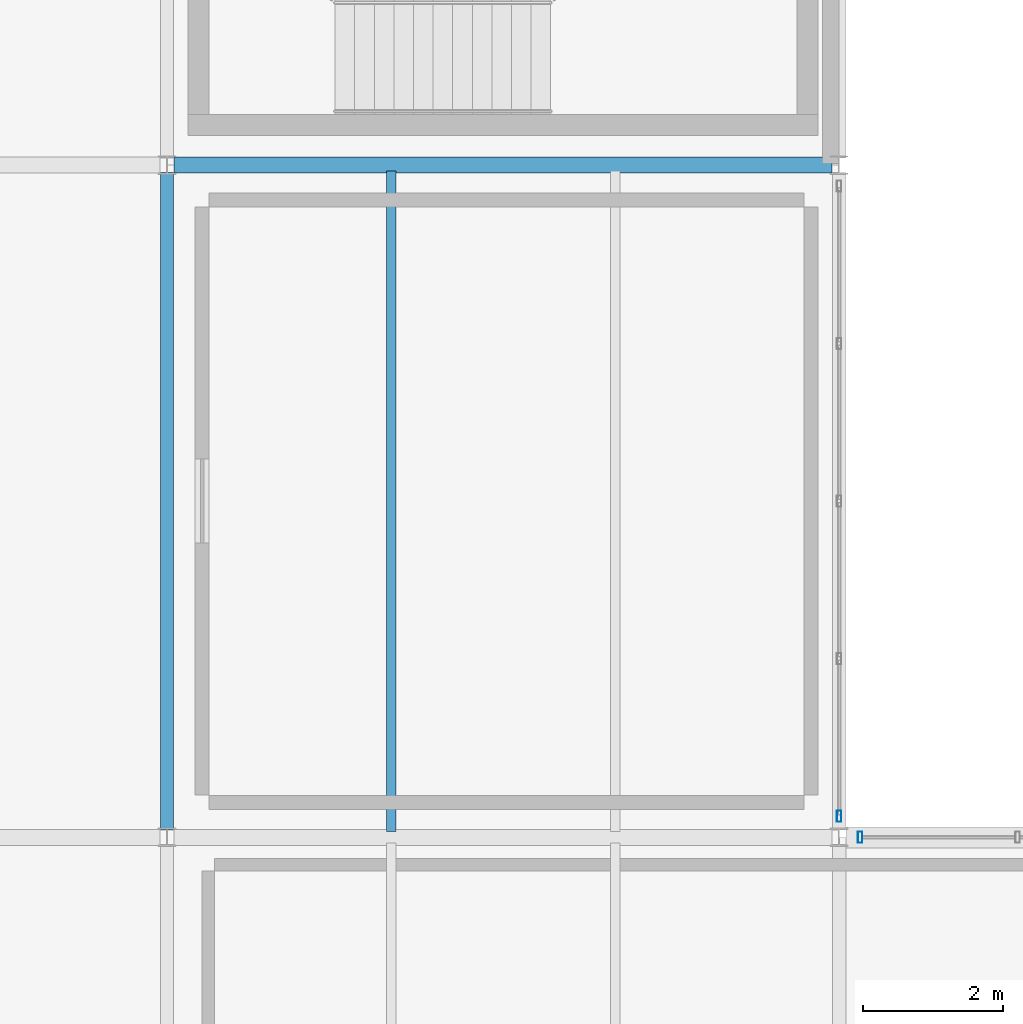
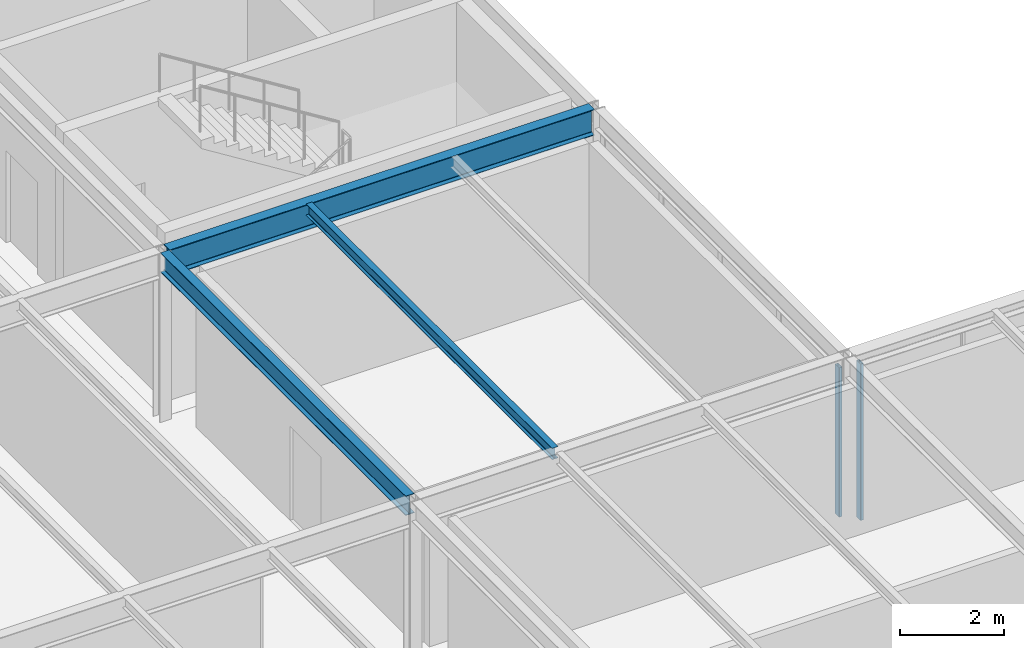
# One storey, part 15 of 39: 3 beams, 2 members, 2 elements without a shape of their own.
"""IFC4 building model written with IfcOpenShell, lengths in metres."""

from ifc_helpers import new_model, si_unit, direction, frame, origin, origin_2d, place, context, subcontext, project, spatial, hollow_rectangle, i_section, extrude, material, material_profile, profile_set, type_object, element, aggregate, save


model = new_model("IFC4")

# Units and contexts
model_context = context("Model", 3, precision=1e-05, world=origin(), true_north=direction((0.0, 1.0)))
body_context = subcontext(model_context, "Body", "Model", "MODEL_VIEW")
ifc_project = project(units=[si_unit("LENGTHUNIT", "METRE"), si_unit("AREAUNIT", "SQUARE_METRE"), si_unit("VOLUMEUNIT", "CUBIC_METRE"), si_unit("PLANEANGLEUNIT", "RADIAN"), si_unit("MASSUNIT", "GRAM", prefix="KILO")], contexts=[model_context])

# Site, building, storey
site_placement = place(None, origin())
site = spatial("IfcSite", under=ifc_project, at=site_placement, CompositionType="ELEMENT")
building_placement = place(site_placement, origin())
building = spatial("IfcBuilding", under=site, at=building_placement, Name="Coralgate Yard Interchange", CompositionType="ELEMENT")
storey_placement = place(building_placement, frame((0.0, 0.0, 18.89990234375)))
storey = spatial("IfcBuildingStorey", under=building, at=storey_placement, Name="L04", CompositionType="ELEMENT", Elevation=18.89990234375)

# Beams
ifc_material_1 = material(Name="Structural steel S355J2", Category="steel")
ifc_material_profile_1 = material_profile(ifc_material_1, i_section(OverallWidth=0.1904296875, OverallDepth=0.45703125, WebThickness=0.009033203125, FlangeThickness=0.014404296875, FilletRadius=0.01025390625, at=origin_2d()), Name="UB 457x191x74")
ifc_profile_set_1 = profile_set([ifc_material_profile_1], Name="Structural steel S355J2")
beam_type_1 = type_object("IfcBeamType", Name="BM-SB-2", PredefinedType="BEAM", material=ifc_profile_set_1)
beam_1_placement = place(storey_placement, frame((9.60009765625, 19.30322265625, 3.7216796875), z_axis=(0.0, 1.0, 0.0), x_axis=(-1.0, 0.0, 0.0)))
element("IfcBeam", 1, at=beam_1_placement, inside=storey, type_object=beam_type_1, Name="L04 primary grid girder X1 Y2-3", PredefinedType="BEAM", context=body_context, shape_type="SweptSolid", body=[
    extrude(i_section(OverallWidth=0.1904296875, OverallDepth=0.45703125, WebThickness=0.009033203125, FlangeThickness=0.014404296875, FilletRadius=0.01025390625, at=origin_2d()), origin(), (0.0, 0.0, 1.0), 9.393310546875),
])
ifc_material_profile_2 = material_profile(ifc_material_1, i_section(OverallWidth=0.228271484375, OverallDepth=0.607666015625, WebThickness=0.010986328125, FlangeThickness=0.017333984375, FilletRadius=0.0126953125, at=origin_2d()), Name="UB 610x229x113")
ifc_profile_set_2 = profile_set([ifc_material_profile_2], Name="Structural steel S355J2")
beam_type_2 = type_object("IfcBeamType", Name="BM-SG-5", PredefinedType="BEAM", material=ifc_profile_set_2)
beam_2_placement = place(storey_placement, frame((9.699462890625, 28.800048828125, 3.646240234375), z_axis=(1.0, 0.0, 0.0), x_axis=(0.0, 1.0, 0.0)))
element("IfcBeam", 2, at=beam_2_placement, inside=storey, type_object=beam_type_2, Name="L04 primary grid beam Y3 X1-2", PredefinedType="BEAM", context=body_context, shape_type="SweptSolid", body=[
    extrude(i_section(OverallWidth=0.228271484375, OverallDepth=0.607666015625, WebThickness=0.010986328125, FlangeThickness=0.017333984375, FilletRadius=0.0126953125, at=origin_2d()), origin(), (0.0, 0.0, 1.0), 9.401123046875),
])
ifc_material_profile_3 = material_profile(ifc_material_1, i_section(OverallWidth=0.135009765625, OverallDepth=0.27001953125, WebThickness=0.006591796875, FlangeThickness=0.01025390625, FilletRadius=0.014892578125, at=origin_2d()), Name="IPE 270")
ifc_profile_set_3 = profile_set([ifc_material_profile_3], Name="Structural steel S355J2")
beam_type_3 = type_object("IfcBeamType", Name="BM-SJ-3", PredefinedType="JOIST", material=ifc_profile_set_3)
beam_3_placement = place(storey_placement, frame((12.800048828125, 19.2841796875, 3.815185546875), z_axis=(0.0, 1.0, 0.0), x_axis=(-1.0, 0.0, 0.0)))
element("IfcBeam", 3, at=beam_3_placement, inside=storey, type_object=beam_type_3, Name="L04 composite floor joist 1-2-1", PredefinedType="JOIST", context=body_context, shape_type="SweptSolid", body=[
    extrude(i_section(OverallWidth=0.135009765625, OverallDepth=0.27001953125, WebThickness=0.006591796875, FlangeThickness=0.01025390625, FilletRadius=0.014892578125, at=origin_2d()), origin(), (0.0, 0.0, 1.0), 9.431640625),
])

# Curtain wall, member
ifc_material_2 = material(Name="Anodised coastal aluminium and solar-control low-E glass", Category="aluminium")
curtain_wall_type = type_object("IfcCurtainWallType", Name="CW-CW-L04-A", PredefinedType="NOTDEFINED", material=ifc_material_2)
curtain_wall_1_placement = place(storey_placement, origin())
curtain_wall_1 = element("IfcCurtainWall", 4, at=curtain_wall_1_placement, inside=storey, type_object=curtain_wall_type, Name="L04 unitised curtain wall CW-L04-E-01-02", PredefinedType="NOTDEFINED")
ifc_material_3 = material(Name="Anodised coastal aluminium 6063-T6", Category="aluminium")
ifc_material_profile_4 = material_profile(ifc_material_3, hollow_rectangle(XDim=0.06494140625, YDim=0.159912109375, WallThickness=0.00390625, InnerFilletRadius=0.00390625, OuterFilletRadius=0.008056640625, at=origin_2d()), Name="ALU 65x160x4")
ifc_profile_set_4 = profile_set([ifc_material_profile_4], Name="Anodised coastal aluminium 6063-T6")
member_type = type_object("IfcMemberType", Name="MB-MUL-160", PredefinedType="MULLION", material=ifc_profile_set_4)
member_1_placement = place(storey_placement, frame((19.199951171875, 19.5, 0.0), z_axis=(0.0, 0.0, 1.0), x_axis=(1.0, 0.0, 0.0)))
member_1 = element("IfcMember", 5, at=member_1_placement, type_object=member_type, Name="CW-L04-E-01-02 vertical mullion 5", PredefinedType="MULLION", context=body_context, shape_type="SweptSolid", body=[
    extrude(hollow_rectangle(XDim=0.06494140625, YDim=0.159912109375, WallThickness=0.00390625, InnerFilletRadius=0.00390625, OuterFilletRadius=0.008056640625, at=origin_2d()), origin(), (0.0, 0.0, 1.0), 3.4931640625),
])
aggregate(curtain_wall_1, [member_1])

curtain_wall_2_placement = place(storey_placement, origin())
curtain_wall_2 = element("IfcCurtainWall", 6, at=curtain_wall_2_placement, inside=storey, type_object=curtain_wall_type, Name="L04 unitised curtain wall CW-L04-N-02-01", PredefinedType="NOTDEFINED")
member_2_placement = place(storey_placement, frame((19.5, 19.199951171875, 0.0), z_axis=(0.0, 0.0, 1.0), x_axis=(1.0, 0.0, 0.0)))
member_2 = element("IfcMember", 7, at=member_2_placement, type_object=member_type, Name="CW-L04-N-02-01 vertical mullion 1", PredefinedType="MULLION", context=body_context, shape_type="SweptSolid", body=[
    extrude(hollow_rectangle(XDim=0.06494140625, YDim=0.159912109375, WallThickness=0.00390625, InnerFilletRadius=0.00390625, OuterFilletRadius=0.008056640625, at=origin_2d()), origin(), (0.0, 0.0, 1.0), 3.66015625),
])
aggregate(curtain_wall_2, [member_2])

save(model, "model.ifc")
